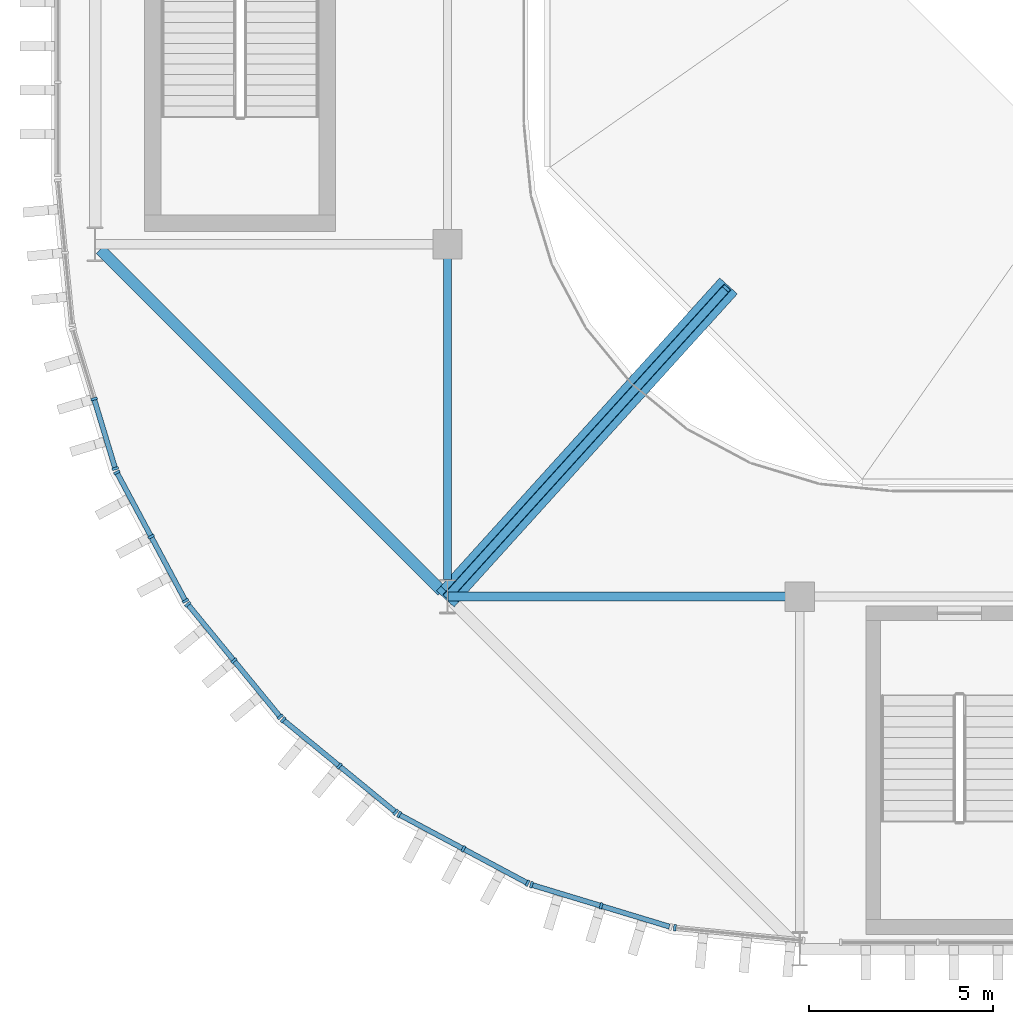
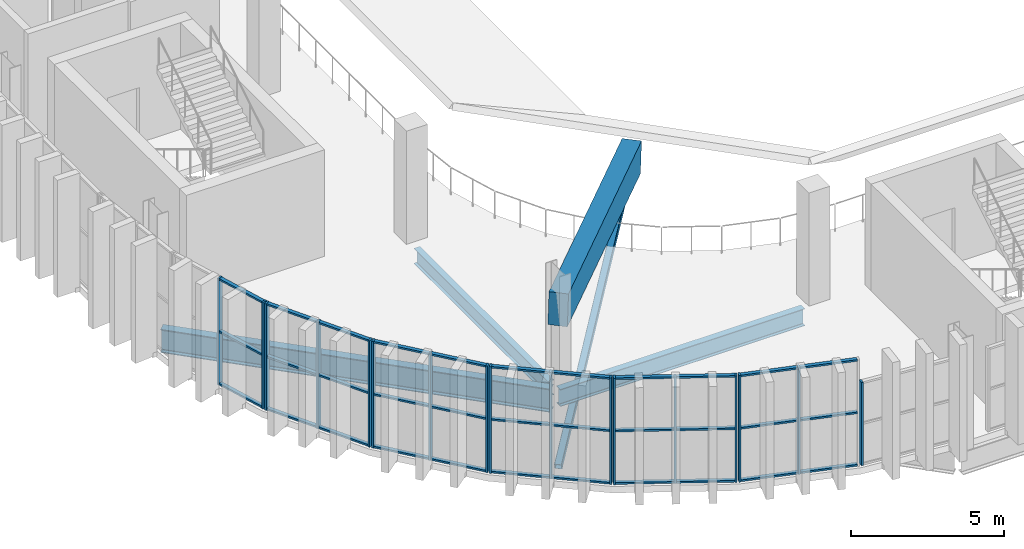
# One storey, part 12 of 69: 51 members, 4 beams, 7 elements without a shape of their own.
"""IFC4 building model written with IfcOpenShell, lengths in metres."""

from ifc_helpers import new_model, si_unit, direction, frame, origin, origin_2d, place, context, subcontext, project, spatial, rectangle, hollow_rectangle, i_section, extrude, material, layer, layer_set, material_profile, profile_set, type_object, element, aggregate, save


model = new_model("IFC4")

# Units and contexts
model_context = context("Model", 3, precision=1e-05, world=origin(), true_north=direction((0.0, 1.0)))
body_context = subcontext(model_context, "Body", "Model", "MODEL_VIEW")
ifc_project = project(units=[si_unit("LENGTHUNIT", "METRE"), si_unit("AREAUNIT", "SQUARE_METRE"), si_unit("VOLUMEUNIT", "CUBIC_METRE"), si_unit("PLANEANGLEUNIT", "RADIAN"), si_unit("MASSUNIT", "GRAM", prefix="KILO")], contexts=[model_context])

# Site, building, storey
site_placement = place(None, origin())
site = spatial("IfcSite", under=ifc_project, at=site_placement, CompositionType="ELEMENT")
building_placement = place(site_placement, origin())
building = spatial("IfcBuilding", under=site, at=building_placement, Name="Caelomonte Colonnade Arena", CompositionType="ELEMENT")
storey_placement = place(building_placement, frame((0.0, 0.0, 18.60009765625)))
storey = spatial("IfcBuildingStorey", under=building, at=storey_placement, Name="L04", CompositionType="ELEMENT", Elevation=18.60009765625)

# Curtain wall, members
ifc_material_1 = material(Name="Bronze anodised aluminium and low-E glazing", Category="aluminium")
ifc_layer_1 = layer(ifc_material_1, 0.179931640625)
ifc_layer_set_1 = layer_set([ifc_layer_1], Name="Bronze anodised aluminium and low-E glazing")
curtain_wall_type_1 = type_object("IfcCurtainWallType", Name="ENV-CW-CW-L04-44-42", PredefinedType="USERDEFINED", material=ifc_layer_set_1)
curtain_wall_1_placement = place(storey_placement, origin())
curtain_wall_1 = element("IfcCurtainWall", 1, at=curtain_wall_1_placement, inside=storey, type_object=curtain_wall_type_1, Name="L04 unitized curtain wall CW-L04-0714-0204", ObjectType="UNITIZED CURTAIN WALL", PredefinedType="USERDEFINED")
ifc_material_2 = material(Name="Bronze anodised aluminium AA6063-T6", Category="aluminium")
ifc_material_profile_1 = material_profile(ifc_material_2, rectangle(XDim=0.070068359375, YDim=0.179931640625, at=origin_2d()), Name="CWM-70X180")
ifc_profile_set_1 = profile_set([ifc_material_profile_1], Name="Bronze anodised aluminium AA6063-T6")
member_type_1 = type_object("IfcMemberType", Name="ENV-CW-MULL1", PredefinedType="MULLION", material=ifc_profile_set_1)
member_1_placement = place(storey_placement, frame((69.487548828125, 20.948974609375, 0.0), z_axis=(0.0, 0.0, 1.0), x_axis=(0.956949160999, -0.290255582655, 0.0)))
member_1 = element("IfcMember", 2, at=member_1_placement, type_object=member_type_1, Name="CW-L04-44-42 mullion 1", PredefinedType="MULLION", context=body_context, shape_type="SweptSolid", body=[
    extrude(rectangle(XDim=0.070068359375, YDim=0.179931640625, at=origin_2d()), origin(), (0.0, 0.0, 1.0), 4.239990234375),
])
member_2_placement = place(storey_placement, frame((71.385498046875, 20.373291015625, 0.0), z_axis=(0.0, 0.0, 1.0), x_axis=(0.956949160999, -0.290255582655, 0.0)))
member_2 = element("IfcMember", 3, at=member_2_placement, type_object=member_type_1, Name="CW-L04-44-42 mullion 2", PredefinedType="MULLION", context=body_context, shape_type="SweptSolid", body=[
    extrude(rectangle(XDim=0.070068359375, YDim=0.179931640625, at=origin_2d()), origin(), (0.0, 0.0, 1.0), 4.239990234375),
])

# Curtain wall, member
ifc_layer_2 = layer(ifc_material_1, 0.179931640625)
ifc_layer_set_2 = layer_set([ifc_layer_2], Name="Bronze anodised aluminium and low-E glazing")
curtain_wall_type_2 = type_object("IfcCurtainWallType", Name="ENV-CW-CW-L04-42-33", PredefinedType="USERDEFINED", material=ifc_layer_set_2)
curtain_wall_2_placement = place(storey_placement, origin())
curtain_wall_2 = element("IfcCurtainWall", 4, at=curtain_wall_2_placement, inside=storey, type_object=curtain_wall_type_2, Name="L04 unitized curtain wall CW-L04-0753-0196", ObjectType="UNITIZED CURTAIN WALL", PredefinedType="USERDEFINED")
member_3_placement = place(storey_placement, frame((73.3955078125, 19.775390625, 0.0), z_axis=(0.0, 0.0, 1.0), x_axis=(0.995184334909, -0.098021117887, 0.0)))
member_3 = element("IfcMember", 5, at=member_3_placement, type_object=member_type_1, Name="CW-L04-42-33 mullion 1", PredefinedType="MULLION", context=body_context, shape_type="SweptSolid", body=[
    extrude(rectangle(XDim=0.070068359375, YDim=0.179931640625, at=origin_2d()), origin(), (0.0, 0.0, 1.0), 3.312744140625),
])
aggregate(curtain_wall_2, [member_3])

# Curtain wall, members
curtain_wall_3_placement = place(storey_placement, origin())
curtain_wall_3 = element("IfcCurtainWall", 6, at=curtain_wall_3_placement, inside=storey, type_object=curtain_wall_type_1, Name="L04 unitized curtain wall CW-L04-0576-0342", ObjectType="UNITIZED CURTAIN WALL", PredefinedType="USERDEFINED")
member_4_placement = place(storey_placement, frame((57.5732421875, 34.185546875, 0.0), z_axis=(0.0, 0.0, 1.0), x_axis=(0.290255582655, -0.956949160999, 0.0)))
member_4 = element("IfcMember", 7, at=member_4_placement, type_object=member_type_1, Name="CW-L04-44-42 mullion 2", PredefinedType="MULLION", context=body_context, shape_type="SweptSolid", body=[
    extrude(rectangle(XDim=0.070068359375, YDim=0.179931640625, at=origin_2d()), origin(), (0.0, 0.0, 1.0), 4.239990234375),
])
member_5_placement = place(storey_placement, frame((58.14892578125, 32.28759765625, 0.0), z_axis=(0.0, 0.0, 1.0), x_axis=(0.290255582655, -0.956949160999, 0.0)))
member_5 = element("IfcMember", 8, at=member_5_placement, type_object=member_type_1, Name="CW-L04-44-42 mullion 3", PredefinedType="MULLION", context=body_context, shape_type="SweptSolid", body=[
    extrude(rectangle(XDim=0.070068359375, YDim=0.179931640625, at=origin_2d()), origin(), (0.0, 0.0, 1.0), 4.239990234375),
])

curtain_wall_4_placement = place(storey_placement, origin())
curtain_wall_4 = element("IfcCurtainWall", 9, at=curtain_wall_4_placement, inside=storey, type_object=curtain_wall_type_1, Name="L04 unitized curtain wall CW-L04-0591-0304", ObjectType="UNITIZED CURTAIN WALL", PredefinedType="USERDEFINED")
member_6_placement = place(storey_placement, frame((58.192626953125, 32.182373046875, 0.0), z_axis=(0.0, 0.0, 1.0), x_axis=(0.471394212466, -0.881922613642, 0.0)))
member_6 = element("IfcMember", 10, at=member_6_placement, type_object=member_type_1, Name="CW-L04-44-42 mullion 1", PredefinedType="MULLION", context=body_context, shape_type="SweptSolid", body=[
    extrude(rectangle(XDim=0.070068359375, YDim=0.179931640625, at=origin_2d()), origin(), (0.0, 0.0, 1.0), 4.239990234375),
])
member_7_placement = place(storey_placement, frame((59.12744140625, 30.43310546875, 0.0), z_axis=(0.0, 0.0, 1.0), x_axis=(0.471394212466, -0.881922613642, 0.0)))
member_7 = element("IfcMember", 11, at=member_7_placement, type_object=member_type_1, Name="CW-L04-44-42 mullion 2", PredefinedType="MULLION", context=body_context, shape_type="SweptSolid", body=[
    extrude(rectangle(XDim=0.070068359375, YDim=0.179931640625, at=origin_2d()), origin(), (0.0, 0.0, 1.0), 4.239990234375),
])
member_8_placement = place(storey_placement, frame((60.0625, 28.68408203125, 0.0), z_axis=(0.0, 0.0, 1.0), x_axis=(0.471394212466, -0.881922613642, 0.0)))
member_8 = element("IfcMember", 12, at=member_8_placement, type_object=member_type_1, Name="CW-L04-44-42 mullion 3", PredefinedType="MULLION", context=body_context, shape_type="SweptSolid", body=[
    extrude(rectangle(XDim=0.070068359375, YDim=0.179931640625, at=origin_2d()), origin(), (0.0, 0.0, 1.0), 4.239990234375),
])

curtain_wall_5_placement = place(storey_placement, origin())
curtain_wall_5 = element("IfcCurtainWall", 13, at=curtain_wall_5_placement, inside=storey, type_object=curtain_wall_type_1, Name="L04 unitized curtain wall CW-L04-0614-0271", ObjectType="UNITIZED CURTAIN WALL", PredefinedType="USERDEFINED")
member_9_placement = place(storey_placement, frame((60.125732421875, 28.58935546875, 0.0), z_axis=(0.0, 0.0, 1.0), x_axis=(0.634416071163, -0.772991751994, 0.0)))
member_9 = element("IfcMember", 14, at=member_9_placement, type_object=member_type_1, Name="CW-L04-44-42 mullion 1", PredefinedType="MULLION", context=body_context, shape_type="SweptSolid", body=[
    extrude(rectangle(XDim=0.070068359375, YDim=0.179931640625, at=origin_2d()), origin(), (0.0, 0.0, 1.0), 4.239990234375),
])
member_10_placement = place(storey_placement, frame((61.384033203125, 27.05615234375, 0.0), z_axis=(0.0, 0.0, 1.0), x_axis=(0.634416071163, -0.772991751994, 0.0)))
member_10 = element("IfcMember", 15, at=member_10_placement, type_object=member_type_1, Name="CW-L04-44-42 mullion 2", PredefinedType="MULLION", context=body_context, shape_type="SweptSolid", body=[
    extrude(rectangle(XDim=0.070068359375, YDim=0.179931640625, at=origin_2d()), origin(), (0.0, 0.0, 1.0), 4.239990234375),
])
member_11_placement = place(storey_placement, frame((62.642333984375, 25.52294921875, 0.0), z_axis=(0.0, 0.0, 1.0), x_axis=(0.634416071163, -0.772991751994, 0.0)))
member_11 = element("IfcMember", 16, at=member_11_placement, type_object=member_type_1, Name="CW-L04-44-42 mullion 3", PredefinedType="MULLION", context=body_context, shape_type="SweptSolid", body=[
    extrude(rectangle(XDim=0.070068359375, YDim=0.179931640625, at=origin_2d()), origin(), (0.0, 0.0, 1.0), 4.239990234375),
])

curtain_wall_6_placement = place(storey_placement, origin())
curtain_wall_6 = element("IfcCurtainWall", 17, at=curtain_wall_6_placement, inside=storey, type_object=curtain_wall_type_1, Name="L04 unitized curtain wall CW-L04-0643-0242", ObjectType="UNITIZED CURTAIN WALL", PredefinedType="USERDEFINED")
member_12_placement = place(storey_placement, frame((62.722900390625, 25.4423828125, 0.0), z_axis=(0.0, 0.0, 1.0), x_axis=(0.772991751994, -0.634416071163, 0.0)))
member_12 = element("IfcMember", 18, at=member_12_placement, type_object=member_type_1, Name="CW-L04-44-42 mullion 1", PredefinedType="MULLION", context=body_context, shape_type="SweptSolid", body=[
    extrude(rectangle(XDim=0.070068359375, YDim=0.179931640625, at=origin_2d()), origin(), (0.0, 0.0, 1.0), 4.239990234375),
])
member_13_placement = place(storey_placement, frame((64.256103515625, 24.18408203125, 0.0), z_axis=(0.0, 0.0, 1.0), x_axis=(0.772991751994, -0.634416071163, 0.0)))
member_13 = element("IfcMember", 19, at=member_13_placement, type_object=member_type_1, Name="CW-L04-44-42 mullion 2", PredefinedType="MULLION", context=body_context, shape_type="SweptSolid", body=[
    extrude(rectangle(XDim=0.070068359375, YDim=0.179931640625, at=origin_2d()), origin(), (0.0, 0.0, 1.0), 4.239990234375),
])
member_14_placement = place(storey_placement, frame((65.789306640625, 22.92578125, 0.0), z_axis=(0.0, 0.0, 1.0), x_axis=(0.772991751994, -0.634416071163, 0.0)))
member_14 = element("IfcMember", 20, at=member_14_placement, type_object=member_type_1, Name="CW-L04-44-42 mullion 3", PredefinedType="MULLION", context=body_context, shape_type="SweptSolid", body=[
    extrude(rectangle(XDim=0.070068359375, YDim=0.179931640625, at=origin_2d()), origin(), (0.0, 0.0, 1.0), 4.239990234375),
])

curtain_wall_7_placement = place(storey_placement, origin())
curtain_wall_7 = element("IfcCurtainWall", 21, at=curtain_wall_7_placement, inside=storey, type_object=curtain_wall_type_1, Name="L04 unitized curtain wall CW-L04-0676-0219", ObjectType="UNITIZED CURTAIN WALL", PredefinedType="USERDEFINED")
member_15_placement = place(storey_placement, frame((65.884033203125, 22.862548828125, 0.0), z_axis=(0.0, 0.0, 1.0), x_axis=(0.881922613642, -0.471394212466, 0.0)))
member_15 = element("IfcMember", 22, at=member_15_placement, type_object=member_type_1, Name="CW-L04-44-42 mullion 1", PredefinedType="MULLION", context=body_context, shape_type="SweptSolid", body=[
    extrude(rectangle(XDim=0.070068359375, YDim=0.179931640625, at=origin_2d()), origin(), (0.0, 0.0, 1.0), 4.239990234375),
])
member_16_placement = place(storey_placement, frame((67.633056640625, 21.927490234375, 0.0), z_axis=(0.0, 0.0, 1.0), x_axis=(0.881922613642, -0.471394212466, 0.0)))
member_16 = element("IfcMember", 23, at=member_16_placement, type_object=member_type_1, Name="CW-L04-44-42 mullion 2", PredefinedType="MULLION", context=body_context, shape_type="SweptSolid", body=[
    extrude(rectangle(XDim=0.070068359375, YDim=0.179931640625, at=origin_2d()), origin(), (0.0, 0.0, 1.0), 4.239990234375),
])
member_17_placement = place(storey_placement, frame((69.38232421875, 20.99267578125, 0.0), z_axis=(0.0, 0.0, 1.0), x_axis=(0.881922613642, -0.471394212466, 0.0)))
member_17 = element("IfcMember", 24, at=member_17_placement, type_object=member_type_1, Name="CW-L04-44-42 mullion 3", PredefinedType="MULLION", context=body_context, shape_type="SweptSolid", body=[
    extrude(rectangle(XDim=0.070068359375, YDim=0.179931640625, at=origin_2d()), origin(), (0.0, 0.0, 1.0), 4.239990234375),
])

# Member
ifc_material_profile_2 = material_profile(ifc_material_2, rectangle(XDim=0.070068359375, YDim=0.139892578125, at=origin_2d()), Name="CWT-70X140")
ifc_profile_set_2 = profile_set([ifc_material_profile_2], Name="Bronze anodised aluminium AA6063-T6")
member_type_2 = type_object("IfcMemberType", Name="ENV-CW-TRAN1", PredefinedType="USERDEFINED", material=ifc_profile_set_2)
member_18_placement = place(storey_placement, frame((69.52099609375, 20.938720703125, 0.034912109375), z_axis=(0.956943884494, -0.290272978297, 0.0), x_axis=(0.0, 0.0, 1.0)))
member_18 = element("IfcMember", 25, at=member_18_placement, type_object=member_type_2, Name="CW-L04-44-42 transom 1.1", ObjectType="TRANSOM", PredefinedType="USERDEFINED", context=body_context, shape_type="SweptSolid", body=[
    extrude(rectangle(XDim=0.070068359375, YDim=0.139892578125, at=origin_2d()), origin(), (0.0, 0.0, 1.0), 1.913330078125),
])

member_19_placement = place(storey_placement, frame((69.52099609375, 20.938720703125, 2.119873046875), z_axis=(0.956943884494, -0.290272978297, 0.0), x_axis=(0.0, 0.0, 1.0)))
member_19 = element("IfcMember", 26, at=member_19_placement, type_object=member_type_2, Name="CW-L04-44-42 transom 1.2", ObjectType="TRANSOM", PredefinedType="USERDEFINED", context=body_context, shape_type="SweptSolid", body=[
    extrude(rectangle(XDim=0.070068359375, YDim=0.139892578125, at=origin_2d()), origin(), (0.0, 0.0, 1.0), 1.913330078125),
])

member_20_placement = place(storey_placement, frame((69.52099609375, 20.938720703125, 4.204833984375), z_axis=(0.956943884494, -0.290272978297, 0.0), x_axis=(0.0, 0.0, 1.0)))
member_20 = element("IfcMember", 27, at=member_20_placement, type_object=member_type_2, Name="CW-L04-44-42 transom 1.3", ObjectType="TRANSOM", PredefinedType="USERDEFINED", context=body_context, shape_type="SweptSolid", body=[
    extrude(rectangle(XDim=0.070068359375, YDim=0.139892578125, at=origin_2d()), origin(), (0.0, 0.0, 1.0), 1.913330078125),
])

member_21_placement = place(storey_placement, frame((71.419189453125, 20.363037109375, 0.034912109375), z_axis=(0.956933131783, -0.290308424431, 0.0), x_axis=(0.0, 0.0, 1.0)))
member_21 = element("IfcMember", 28, at=member_21_placement, type_object=member_type_2, Name="CW-L04-44-42 transom 2.1", ObjectType="TRANSOM", PredefinedType="USERDEFINED", context=body_context, shape_type="SweptSolid", body=[
    extrude(rectangle(XDim=0.070068359375, YDim=0.139892578125, at=origin_2d()), origin(), (0.0, 0.0, 1.0), 1.9130859375),
])

member_22_placement = place(storey_placement, frame((71.419189453125, 20.363037109375, 2.119873046875), z_axis=(0.956933131783, -0.290308424431, 0.0), x_axis=(0.0, 0.0, 1.0)))
member_22 = element("IfcMember", 29, at=member_22_placement, type_object=member_type_2, Name="CW-L04-44-42 transom 2.2", ObjectType="TRANSOM", PredefinedType="USERDEFINED", context=body_context, shape_type="SweptSolid", body=[
    extrude(rectangle(XDim=0.070068359375, YDim=0.139892578125, at=origin_2d()), origin(), (0.0, 0.0, 1.0), 1.9130859375),
])

member_23_placement = place(storey_placement, frame((71.419189453125, 20.363037109375, 4.204833984375), z_axis=(0.956933131783, -0.290308424431, 0.0), x_axis=(0.0, 0.0, 1.0)))
member_23 = element("IfcMember", 30, at=member_23_placement, type_object=member_type_2, Name="CW-L04-44-42 transom 2.3", ObjectType="TRANSOM", PredefinedType="USERDEFINED", context=body_context, shape_type="SweptSolid", body=[
    extrude(rectangle(XDim=0.070068359375, YDim=0.139892578125, at=origin_2d()), origin(), (0.0, 0.0, 1.0), 1.9130859375),
])

aggregate(curtain_wall_1, [member_1, member_2, member_18, member_19, member_20, member_21, member_22, member_23])

member_24_placement = place(storey_placement, frame((57.58349609375, 34.152099609375, 0.034912109375), z_axis=(0.29015613003, -0.956979320678, 0.0), x_axis=(0.0, 0.0, 1.0)))
member_24 = element("IfcMember", 31, at=member_24_placement, type_object=member_type_2, Name="CW-L04-44-42 transom 2.1", ObjectType="TRANSOM", PredefinedType="USERDEFINED", context=body_context, shape_type="SweptSolid", body=[
    extrude(rectangle(XDim=0.070068359375, YDim=0.139892578125, at=origin_2d()), origin(), (0.0, 0.0, 1.0), 1.913330078125),
])

member_25_placement = place(storey_placement, frame((57.58349609375, 34.152099609375, 2.119873046875), z_axis=(0.29015613003, -0.956979320678, 0.0), x_axis=(0.0, 0.0, 1.0)))
member_25 = element("IfcMember", 32, at=member_25_placement, type_object=member_type_2, Name="CW-L04-44-42 transom 2.2", ObjectType="TRANSOM", PredefinedType="USERDEFINED", context=body_context, shape_type="SweptSolid", body=[
    extrude(rectangle(XDim=0.070068359375, YDim=0.139892578125, at=origin_2d()), origin(), (0.0, 0.0, 1.0), 1.913330078125),
])

member_26_placement = place(storey_placement, frame((57.58349609375, 34.152099609375, 4.204833984375), z_axis=(0.29015613003, -0.956979320678, 0.0), x_axis=(0.0, 0.0, 1.0)))
member_26 = element("IfcMember", 33, at=member_26_placement, type_object=member_type_2, Name="CW-L04-44-42 transom 2.3", ObjectType="TRANSOM", PredefinedType="USERDEFINED", context=body_context, shape_type="SweptSolid", body=[
    extrude(rectangle(XDim=0.070068359375, YDim=0.139892578125, at=origin_2d()), origin(), (0.0, 0.0, 1.0), 1.913330078125),
])

aggregate(curtain_wall_3, [member_4, member_5, member_24, member_25, member_26])

member_27_placement = place(storey_placement, frame((58.208984375, 32.1513671875, 0.034912109375), z_axis=(0.47149534087, -0.881868552301, 0.0), x_axis=(0.0, 0.0, 1.0)))
member_27 = element("IfcMember", 34, at=member_27_placement, type_object=member_type_2, Name="CW-L04-44-42 transom 1.1", ObjectType="TRANSOM", PredefinedType="USERDEFINED", context=body_context, shape_type="SweptSolid", body=[
    extrude(rectangle(XDim=0.070068359375, YDim=0.139892578125, at=origin_2d()), origin(), (0.0, 0.0, 1.0), 1.913330078125),
])

member_28_placement = place(storey_placement, frame((58.208984375, 32.1513671875, 2.119873046875), z_axis=(0.47149534087, -0.881868552301, 0.0), x_axis=(0.0, 0.0, 1.0)))
member_28 = element("IfcMember", 35, at=member_28_placement, type_object=member_type_2, Name="CW-L04-44-42 transom 1.2", ObjectType="TRANSOM", PredefinedType="USERDEFINED", context=body_context, shape_type="SweptSolid", body=[
    extrude(rectangle(XDim=0.070068359375, YDim=0.139892578125, at=origin_2d()), origin(), (0.0, 0.0, 1.0), 1.913330078125),
])

member_29_placement = place(storey_placement, frame((58.208984375, 32.1513671875, 4.204833984375), z_axis=(0.47149534087, -0.881868552301, 0.0), x_axis=(0.0, 0.0, 1.0)))
member_29 = element("IfcMember", 36, at=member_29_placement, type_object=member_type_2, Name="CW-L04-44-42 transom 1.3", ObjectType="TRANSOM", PredefinedType="USERDEFINED", context=body_context, shape_type="SweptSolid", body=[
    extrude(rectangle(XDim=0.070068359375, YDim=0.139892578125, at=origin_2d()), origin(), (0.0, 0.0, 1.0), 1.913330078125),
])

member_30_placement = place(storey_placement, frame((59.14404296875, 30.40234375, 0.034912109375), z_axis=(0.471343048304, -0.88194995936, 0.0), x_axis=(0.0, 0.0, 1.0)))
member_30 = element("IfcMember", 37, at=member_30_placement, type_object=member_type_2, Name="CW-L04-44-42 transom 2.1", ObjectType="TRANSOM", PredefinedType="USERDEFINED", context=body_context, shape_type="SweptSolid", body=[
    extrude(rectangle(XDim=0.070068359375, YDim=0.139892578125, at=origin_2d()), origin(), (0.0, 0.0, 1.0), 1.913330078125),
])

member_31_placement = place(storey_placement, frame((59.14404296875, 30.40234375, 2.119873046875), z_axis=(0.471343048304, -0.88194995936, 0.0), x_axis=(0.0, 0.0, 1.0)))
member_31 = element("IfcMember", 38, at=member_31_placement, type_object=member_type_2, Name="CW-L04-44-42 transom 2.2", ObjectType="TRANSOM", PredefinedType="USERDEFINED", context=body_context, shape_type="SweptSolid", body=[
    extrude(rectangle(XDim=0.070068359375, YDim=0.139892578125, at=origin_2d()), origin(), (0.0, 0.0, 1.0), 1.913330078125),
])

member_32_placement = place(storey_placement, frame((59.14404296875, 30.40234375, 4.204833984375), z_axis=(0.471343048304, -0.88194995936, 0.0), x_axis=(0.0, 0.0, 1.0)))
member_32 = element("IfcMember", 39, at=member_32_placement, type_object=member_type_2, Name="CW-L04-44-42 transom 2.3", ObjectType="TRANSOM", PredefinedType="USERDEFINED", context=body_context, shape_type="SweptSolid", body=[
    extrude(rectangle(XDim=0.070068359375, YDim=0.139892578125, at=origin_2d()), origin(), (0.0, 0.0, 1.0), 1.913330078125),
])

aggregate(curtain_wall_4, [member_6, member_7, member_8, member_27, member_28, member_29, member_30, member_31, member_32])

member_33_placement = place(storey_placement, frame((60.14794921875, 28.562255859375, 0.034912109375), z_axis=(0.634418283662, -0.772989936128, 0.0), x_axis=(0.0, 0.0, 1.0)))
member_33 = element("IfcMember", 40, at=member_33_placement, type_object=member_type_2, Name="CW-L04-44-42 transom 1.1", ObjectType="TRANSOM", PredefinedType="USERDEFINED", context=body_context, shape_type="SweptSolid", body=[
    extrude(rectangle(XDim=0.070068359375, YDim=0.139892578125, at=origin_2d()), origin(), (0.0, 0.0, 1.0), 1.913330078125),
])

member_34_placement = place(storey_placement, frame((60.14794921875, 28.562255859375, 2.119873046875), z_axis=(0.634418283662, -0.772989936128, 0.0), x_axis=(0.0, 0.0, 1.0)))
member_34 = element("IfcMember", 41, at=member_34_placement, type_object=member_type_2, Name="CW-L04-44-42 transom 1.2", ObjectType="TRANSOM", PredefinedType="USERDEFINED", context=body_context, shape_type="SweptSolid", body=[
    extrude(rectangle(XDim=0.070068359375, YDim=0.139892578125, at=origin_2d()), origin(), (0.0, 0.0, 1.0), 1.913330078125),
])

member_35_placement = place(storey_placement, frame((60.14794921875, 28.562255859375, 4.204833984375), z_axis=(0.634418283662, -0.772989936128, 0.0), x_axis=(0.0, 0.0, 1.0)))
member_35 = element("IfcMember", 42, at=member_35_placement, type_object=member_type_2, Name="CW-L04-44-42 transom 1.3", ObjectType="TRANSOM", PredefinedType="USERDEFINED", context=body_context, shape_type="SweptSolid", body=[
    extrude(rectangle(XDim=0.070068359375, YDim=0.139892578125, at=origin_2d()), origin(), (0.0, 0.0, 1.0), 1.913330078125),
])

member_36_placement = place(storey_placement, frame((61.40625, 27.029052734375, 0.034912109375), z_axis=(0.634418283662, -0.772989936128, 0.0), x_axis=(0.0, 0.0, 1.0)))
member_36 = element("IfcMember", 43, at=member_36_placement, type_object=member_type_2, Name="CW-L04-44-42 transom 2.1", ObjectType="TRANSOM", PredefinedType="USERDEFINED", context=body_context, shape_type="SweptSolid", body=[
    extrude(rectangle(XDim=0.070068359375, YDim=0.139892578125, at=origin_2d()), origin(), (0.0, 0.0, 1.0), 1.913330078125),
])

member_37_placement = place(storey_placement, frame((61.40625, 27.029052734375, 2.119873046875), z_axis=(0.634418283662, -0.772989936128, 0.0), x_axis=(0.0, 0.0, 1.0)))
member_37 = element("IfcMember", 44, at=member_37_placement, type_object=member_type_2, Name="CW-L04-44-42 transom 2.2", ObjectType="TRANSOM", PredefinedType="USERDEFINED", context=body_context, shape_type="SweptSolid", body=[
    extrude(rectangle(XDim=0.070068359375, YDim=0.139892578125, at=origin_2d()), origin(), (0.0, 0.0, 1.0), 1.913330078125),
])

member_38_placement = place(storey_placement, frame((61.40625, 27.029052734375, 4.204833984375), z_axis=(0.634418283662, -0.772989936128, 0.0), x_axis=(0.0, 0.0, 1.0)))
member_38 = element("IfcMember", 45, at=member_38_placement, type_object=member_type_2, Name="CW-L04-44-42 transom 2.3", ObjectType="TRANSOM", PredefinedType="USERDEFINED", context=body_context, shape_type="SweptSolid", body=[
    extrude(rectangle(XDim=0.070068359375, YDim=0.139892578125, at=origin_2d()), origin(), (0.0, 0.0, 1.0), 1.913330078125),
])

aggregate(curtain_wall_5, [member_9, member_10, member_11, member_33, member_34, member_35, member_36, member_37, member_38])

member_39_placement = place(storey_placement, frame((62.75, 25.420166015625, 0.034912109375), z_axis=(0.772989936128, -0.634418283662, 0.0), x_axis=(0.0, 0.0, 1.0)))
member_39 = element("IfcMember", 46, at=member_39_placement, type_object=member_type_2, Name="CW-L04-44-42 transom 1.1", ObjectType="TRANSOM", PredefinedType="USERDEFINED", context=body_context, shape_type="SweptSolid", body=[
    extrude(rectangle(XDim=0.070068359375, YDim=0.139892578125, at=origin_2d()), origin(), (0.0, 0.0, 1.0), 1.913330078125),
])

member_40_placement = place(storey_placement, frame((62.75, 25.420166015625, 2.119873046875), z_axis=(0.772989936128, -0.634418283662, 0.0), x_axis=(0.0, 0.0, 1.0)))
member_40 = element("IfcMember", 47, at=member_40_placement, type_object=member_type_2, Name="CW-L04-44-42 transom 1.2", ObjectType="TRANSOM", PredefinedType="USERDEFINED", context=body_context, shape_type="SweptSolid", body=[
    extrude(rectangle(XDim=0.070068359375, YDim=0.139892578125, at=origin_2d()), origin(), (0.0, 0.0, 1.0), 1.913330078125),
])

member_41_placement = place(storey_placement, frame((62.75, 25.420166015625, 4.204833984375), z_axis=(0.772989936128, -0.634418283662, 0.0), x_axis=(0.0, 0.0, 1.0)))
member_41 = element("IfcMember", 48, at=member_41_placement, type_object=member_type_2, Name="CW-L04-44-42 transom 1.3", ObjectType="TRANSOM", PredefinedType="USERDEFINED", context=body_context, shape_type="SweptSolid", body=[
    extrude(rectangle(XDim=0.070068359375, YDim=0.139892578125, at=origin_2d()), origin(), (0.0, 0.0, 1.0), 1.913330078125),
])

member_42_placement = place(storey_placement, frame((64.283203125, 24.161865234375, 0.034912109375), z_axis=(0.772989936128, -0.634418283662, 0.0), x_axis=(0.0, 0.0, 1.0)))
member_42 = element("IfcMember", 49, at=member_42_placement, type_object=member_type_2, Name="CW-L04-44-42 transom 2.1", ObjectType="TRANSOM", PredefinedType="USERDEFINED", context=body_context, shape_type="SweptSolid", body=[
    extrude(rectangle(XDim=0.070068359375, YDim=0.139892578125, at=origin_2d()), origin(), (0.0, 0.0, 1.0), 1.913330078125),
])

member_43_placement = place(storey_placement, frame((64.283203125, 24.161865234375, 2.119873046875), z_axis=(0.772989936128, -0.634418283662, 0.0), x_axis=(0.0, 0.0, 1.0)))
member_43 = element("IfcMember", 50, at=member_43_placement, type_object=member_type_2, Name="CW-L04-44-42 transom 2.2", ObjectType="TRANSOM", PredefinedType="USERDEFINED", context=body_context, shape_type="SweptSolid", body=[
    extrude(rectangle(XDim=0.070068359375, YDim=0.139892578125, at=origin_2d()), origin(), (0.0, 0.0, 1.0), 1.913330078125),
])

member_44_placement = place(storey_placement, frame((64.283203125, 24.161865234375, 4.204833984375), z_axis=(0.772989936128, -0.634418283662, 0.0), x_axis=(0.0, 0.0, 1.0)))
member_44 = element("IfcMember", 51, at=member_44_placement, type_object=member_type_2, Name="CW-L04-44-42 transom 2.3", ObjectType="TRANSOM", PredefinedType="USERDEFINED", context=body_context, shape_type="SweptSolid", body=[
    extrude(rectangle(XDim=0.070068359375, YDim=0.139892578125, at=origin_2d()), origin(), (0.0, 0.0, 1.0), 1.913330078125),
])

aggregate(curtain_wall_6, [member_12, member_13, member_14, member_39, member_40, member_41, member_42, member_43, member_44])

member_45_placement = place(storey_placement, frame((65.914794921875, 22.845947265625, 0.034912109375), z_axis=(0.88194995936, -0.471343048304, 0.0), x_axis=(0.0, 0.0, 1.0)))
member_45 = element("IfcMember", 52, at=member_45_placement, type_object=member_type_2, Name="CW-L04-44-42 transom 1.1", ObjectType="TRANSOM", PredefinedType="USERDEFINED", context=body_context, shape_type="SweptSolid", body=[
    extrude(rectangle(XDim=0.070068359375, YDim=0.139892578125, at=origin_2d()), origin(), (0.0, 0.0, 1.0), 1.913330078125),
])

member_46_placement = place(storey_placement, frame((65.914794921875, 22.845947265625, 2.119873046875), z_axis=(0.88194995936, -0.471343048304, 0.0), x_axis=(0.0, 0.0, 1.0)))
member_46 = element("IfcMember", 53, at=member_46_placement, type_object=member_type_2, Name="CW-L04-44-42 transom 1.2", ObjectType="TRANSOM", PredefinedType="USERDEFINED", context=body_context, shape_type="SweptSolid", body=[
    extrude(rectangle(XDim=0.070068359375, YDim=0.139892578125, at=origin_2d()), origin(), (0.0, 0.0, 1.0), 1.913330078125),
])

member_47_placement = place(storey_placement, frame((65.914794921875, 22.845947265625, 4.204833984375), z_axis=(0.88194995936, -0.471343048304, 0.0), x_axis=(0.0, 0.0, 1.0)))
member_47 = element("IfcMember", 54, at=member_47_placement, type_object=member_type_2, Name="CW-L04-44-42 transom 1.3", ObjectType="TRANSOM", PredefinedType="USERDEFINED", context=body_context, shape_type="SweptSolid", body=[
    extrude(rectangle(XDim=0.070068359375, YDim=0.139892578125, at=origin_2d()), origin(), (0.0, 0.0, 1.0), 1.913330078125),
])

member_48_placement = place(storey_placement, frame((67.6640625, 21.9111328125, 0.034912109375), z_axis=(0.881896914799, -0.471442288799, 0.0), x_axis=(0.0, 0.0, 1.0)))
member_48 = element("IfcMember", 55, at=member_48_placement, type_object=member_type_2, Name="CW-L04-44-42 transom 2.1", ObjectType="TRANSOM", PredefinedType="USERDEFINED", context=body_context, shape_type="SweptSolid", body=[
    extrude(rectangle(XDim=0.070068359375, YDim=0.139892578125, at=origin_2d()), origin(), (0.0, 0.0, 1.0), 1.91357421875),
])

member_49_placement = place(storey_placement, frame((67.6640625, 21.9111328125, 2.119873046875), z_axis=(0.881896914799, -0.471442288799, 0.0), x_axis=(0.0, 0.0, 1.0)))
member_49 = element("IfcMember", 56, at=member_49_placement, type_object=member_type_2, Name="CW-L04-44-42 transom 2.2", ObjectType="TRANSOM", PredefinedType="USERDEFINED", context=body_context, shape_type="SweptSolid", body=[
    extrude(rectangle(XDim=0.070068359375, YDim=0.139892578125, at=origin_2d()), origin(), (0.0, 0.0, 1.0), 1.91357421875),
])

member_50_placement = place(storey_placement, frame((67.6640625, 21.9111328125, 4.204833984375), z_axis=(0.881896914799, -0.471442288799, 0.0), x_axis=(0.0, 0.0, 1.0)))
member_50 = element("IfcMember", 57, at=member_50_placement, type_object=member_type_2, Name="CW-L04-44-42 transom 2.3", ObjectType="TRANSOM", PredefinedType="USERDEFINED", context=body_context, shape_type="SweptSolid", body=[
    extrude(rectangle(XDim=0.070068359375, YDim=0.139892578125, at=origin_2d()), origin(), (0.0, 0.0, 1.0), 1.91357421875),
])

aggregate(curtain_wall_7, [member_15, member_16, member_17, member_45, member_46, member_47, member_48, member_49, member_50])

ifc_material_3 = material(Name="Steel ASTM A500 Grade C", Category="steel")
ifc_material_profile_3 = material_profile(ifc_material_3, hollow_rectangle(XDim=0.25390625, YDim=0.25390625, WallThickness=0.0126953125, InnerFilletRadius=0.0126953125, OuterFilletRadius=0.025390625, at=origin_2d()), Name="HSS254X254X12.7")
ifc_profile_set_3 = profile_set([ifc_material_profile_3], Name="Steel ASTM A500 Grade C")
member_type_3 = type_object("IfcMemberType", Name="STR-BF-DIAG1", PredefinedType="BRACE", material=ifc_profile_set_3)
member_51_placement = place(storey_placement, frame((67.199951171875, 28.800048828125, -3.400146484375), z_axis=(0.625398255019, 0.691212732483, 0.362080075497), x_axis=(-0.741527609628, 0.670922353302, 0.0)))
element("IfcMember", 58, at=member_51_placement, inside=storey, type_object=member_type_3, Name="Upper bowl corner raker knee strut SW", PredefinedType="BRACE", context=body_context, shape_type="SweptSolid", body=[
    extrude(hollow_rectangle(XDim=0.25390625, YDim=0.25390625, WallThickness=0.0126953125, InnerFilletRadius=0.0126953125, OuterFilletRadius=0.025390625, at=origin_2d()), origin(), (0.0, 0.0, 1.0), 12.15234375),
])

# Beams
ifc_material_4 = material(Name="Wide-flange steel ASTM A992 Grade 50", Category="steel")
ifc_material_profile_4 = material_profile(ifc_material_4, i_section(OverallWidth=0.307861328125, OverallDepth=0.927001953125, WebThickness=0.019287109375, FlangeThickness=0.031982421875, FilletRadius=0.020263671875, at=origin_2d()), Name="W36X194")
ifc_profile_set_4 = profile_set([ifc_material_profile_4], Name="Wide-flange steel ASTM A992 Grade 50")
beam_type_1 = type_object("IfcBeamType", Name="STR-BM-EAVES2", PredefinedType="SPANDREL", material=ifc_profile_set_4)
beam_1_placement = place(storey_placement, frame((57.743896484375, 38.256103515625, -0.7236328125), z_axis=(0.707106781187, -0.707106781187, 0.0), x_axis=(0.707106781187, 0.707106781187, 0.0)))
element("IfcBeam", 59, at=beam_1_placement, inside=storey, type_object=beam_type_1, Name="L04 drum corner ring girder 1", PredefinedType="SPANDREL", context=body_context, shape_type="SweptSolid", body=[
    extrude(i_section(OverallWidth=0.307861328125, OverallDepth=0.927001953125, WebThickness=0.019287109375, FlangeThickness=0.031982421875, FilletRadius=0.020263671875, at=origin_2d()), origin(), (0.0, 0.0, 1.0), 13.169189453125),
])
ifc_material_profile_5 = material_profile(ifc_material_4, i_section(OverallWidth=0.227783203125, OverallDepth=0.60205078125, WebThickness=0.010498046875, FlangeThickness=0.014892578125, FilletRadius=0.0126953125, at=origin_2d()), Name="W24X68")
ifc_profile_set_5 = profile_set([ifc_material_profile_5], Name="Wide-flange steel ASTM A992 Grade 50")
beam_type_2 = type_object("IfcBeamType", Name="STR-BM-GIRD24B", PredefinedType="SPANDREL", material=ifc_profile_set_5)
beam_2_placement = place(storey_placement, frame((67.199951171875, 29.265625, -0.56103515625), z_axis=(0.0, 1.0, 0.0), x_axis=(-1.0, 0.0, 0.0)))
element("IfcBeam", 60, at=beam_2_placement, inside=storey, type_object=beam_type_2, Name="L04 girder BMY-L04-0672-0288", PredefinedType="SPANDREL", context=body_context, shape_type="SweptSolid", body=[
    extrude(i_section(OverallWidth=0.227783203125, OverallDepth=0.60205078125, WebThickness=0.010498046875, FlangeThickness=0.014892578125, FilletRadius=0.0126953125, at=origin_2d()), origin(), (0.0, 0.0, 1.0), 8.742431640625),
])
ifc_material_profile_6 = material_profile(ifc_material_4, i_section(OverallWidth=0.253662109375, OverallDepth=0.683349609375, WebThickness=0.012451171875, FlangeThickness=0.018798828125, FilletRadius=0.01513671875, at=origin_2d()), Name="W27X94")
ifc_profile_set_6 = profile_set([ifc_material_profile_6], Name="Wide-flange steel ASTM A992 Grade 50")
beam_type_3 = type_object("IfcBeamType", Name="STR-BM-GIRD27", PredefinedType="BEAM", material=ifc_profile_set_6)
beam_3_placement = place(storey_placement, frame((67.2119140625, 28.800048828125, -0.601806640625), z_axis=(1.0, 0.0, 0.0), x_axis=(0.0, 1.0, 0.0)))
element("IfcBeam", 61, at=beam_3_placement, inside=storey, type_object=beam_type_3, Name="L04 girder BMX-L04-0672-0288", PredefinedType="BEAM", context=body_context, shape_type="SweptSolid", body=[
    extrude(i_section(OverallWidth=0.253662109375, OverallDepth=0.683349609375, WebThickness=0.012451171875, FlangeThickness=0.018798828125, FilletRadius=0.01513671875, at=origin_2d()), origin(), (0.0, 0.0, 1.0), 9.196044921875),
])
ifc_material_5 = material(Name="Concrete C50/60", Category="concrete")
ifc_material_profile_7 = material_profile(ifc_material_5, rectangle(XDim=0.64990234375, YDim=1.199951171875, at=origin_2d()), Name="RC650X1200")
ifc_profile_set_7 = profile_set([ifc_material_profile_7], Name="Concrete C50/60")
beam_type_4 = type_object("IfcBeamType", Name="STR-BM-RKU", PredefinedType="USERDEFINED", material=ifc_profile_set_7)
beam_4_placement = place(storey_placement, frame((67.199951171875, 28.800048828125, 2.85986328125), z_axis=(0.66383322896, 0.73369245344, -0.144985612711), x_axis=(-0.741527609628, 0.670922353302, 0.0)))
element("IfcBeam", 62, at=beam_4_placement, inside=storey, type_object=beam_type_4, Name="Upper bowl corner raker girder SW", ObjectType="RAKER", PredefinedType="USERDEFINED", context=body_context, shape_type="SweptSolid", body=[
    extrude(rectangle(XDim=0.64990234375, YDim=1.199951171875, at=origin_2d()), origin(), (0.0, 0.0, 1.0), 11.44873046875),
])

save(model, "model.ifc")
